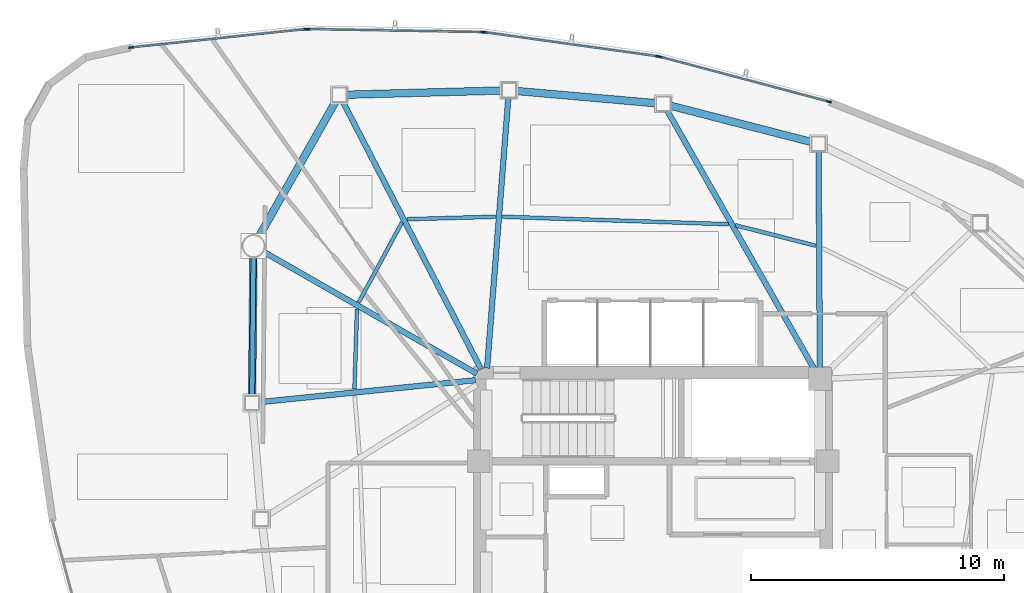
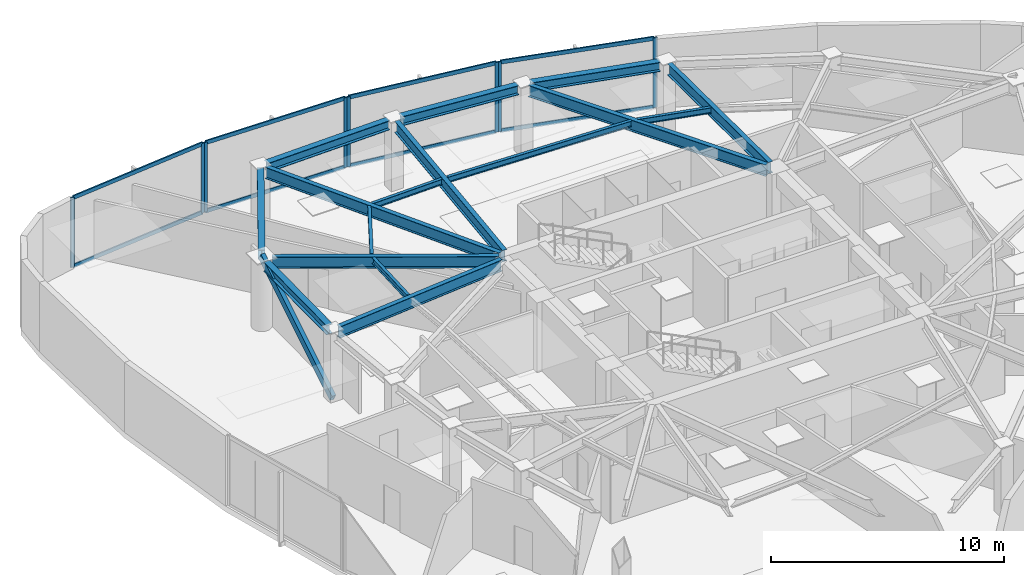
# One storey, part 6 of 13: 17 members, 16 beams, 4 elements without a shape of their own.
"""IFC4 building model written with IfcOpenShell, lengths in metres."""

from ifc_helpers import new_model, si_unit, direction, frame, origin, origin_2d, place, context, subcontext, project, spatial, hollow_rectangle, i_section, extrude, source, transform, mapped, material, layer, layer_set, material_profile, profile_set, type_object, type_shapes, element, aggregate, save


model = new_model("IFC4")

# Units and contexts
model_context = context("Model", 3, precision=1e-05, world=origin(), true_north=direction((0.0, 1.0)))
body_context = subcontext(model_context, "Body", "Model", "MODEL_VIEW")
ifc_project = project(units=[si_unit("LENGTHUNIT", "METRE"), si_unit("AREAUNIT", "SQUARE_METRE"), si_unit("VOLUMEUNIT", "CUBIC_METRE"), si_unit("PLANEANGLEUNIT", "RADIAN"), si_unit("MASSUNIT", "GRAM", prefix="KILO")], contexts=[model_context])

# Site, building, storey
site_placement = place(None, origin())
site = spatial("IfcSite", under=ifc_project, at=site_placement, CompositionType="ELEMENT")
building_placement = place(site_placement, origin())
building = spatial("IfcBuilding", under=site, at=building_placement, Name="Tavelor Broadcast Tower", CompositionType="ELEMENT")
storey_placement = place(building_placement, frame((0.0, 0.0, 245.85009765625)))
storey = spatial("IfcBuildingStorey", under=building, at=storey_placement, Name="L58", CompositionType="ELEMENT", Elevation=245.85009765625)

# Beams
ifc_material_1 = material(Name="Steel S355", Category="steel")
ifc_material_profile_1 = material_profile(ifc_material_1, i_section(OverallWidth=0.14990234375, OverallDepth=0.300048828125, WebThickness=0.007080078125, FlangeThickness=0.0107421875, at=origin_2d()), Name="IPE 300")
ifc_profile_set_1 = profile_set([ifc_material_profile_1], Name="Steel S355")
beam_type_1 = type_object("IfcBeamType", Name="Composite Floor Joist T5 IPE 300", PredefinedType="JOIST", material=ifc_profile_set_1)
beam_1_placement = place(storey_placement, frame((38.289794921875, 53.978515625, 3.5), z_axis=(-0.031859396157, -0.999492360589, 0.0), x_axis=(0.999492360589, -0.031859396157, 0.0)))
element("IfcBeam", 1, at=beam_1_placement, inside=storey, type_object=beam_type_1, Name="L58 Secondary Composite Floor Joist 01", PredefinedType="JOIST", context=body_context, shape_type="SweptSolid", body=[
    extrude(i_section(OverallWidth=0.14990234375, OverallDepth=0.300048828125, WebThickness=0.007080078125, FlangeThickness=0.0107421875, at=origin_2d()), origin(), (0.0, 0.0, 1.0), 3.172607421875),
])
beam_2_placement = place(storey_placement, frame((56.434326171875, 56.4736328125, 3.5), z_axis=(-0.968901023903, 0.247448592399, 0.0), x_axis=(-0.247448592399, -0.968901023903, 0.0)))
element("IfcBeam", 2, at=beam_2_placement, inside=storey, type_object=beam_type_1, Name="L58 Secondary Composite Floor Joist 15", PredefinedType="JOIST", context=body_context, shape_type="SweptSolid", body=[
    extrude(i_section(OverallWidth=0.14990234375, OverallDepth=0.300048828125, WebThickness=0.007080078125, FlangeThickness=0.0107421875, at=origin_2d()), origin(), (0.0, 0.0, 1.0), 3.283447265625),
])
beam_3_placement = place(storey_placement, frame((52.978515625, 57.3251953125, 3.5), z_axis=(-0.999455526468, 0.032994705837, 0.0), x_axis=(-0.032994705837, -0.999455526468, 0.0)))
element("IfcBeam", 3, at=beam_3_placement, inside=storey, type_object=beam_type_1, Name="L58 Secondary Composite Floor Joist 16", PredefinedType="JOIST", context=body_context, shape_type="SweptSolid", body=[
    extrude(i_section(OverallWidth=0.14990234375, OverallDepth=0.300048828125, WebThickness=0.007080078125, FlangeThickness=0.0107421875, at=origin_2d()), origin(), (0.0, 0.0, 1.0), 8.9384765625),
])
beam_4_placement = place(storey_placement, frame((43.76611328125, 57.620849609375, 3.5), z_axis=(-0.999611398275, -0.027875660324, 0.0), x_axis=(0.027875660324, -0.999611398275, 0.0)))
element("IfcBeam", 4, at=beam_4_placement, inside=storey, type_object=beam_type_1, Name="L58 Secondary Composite Floor Joist 17", PredefinedType="JOIST", context=body_context, shape_type="SweptSolid", body=[
    extrude(i_section(OverallWidth=0.14990234375, OverallDepth=0.300048828125, WebThickness=0.007080078125, FlangeThickness=0.0107421875, at=origin_2d()), origin(), (0.0, 0.0, 1.0), 3.49462890625),
])
beam_5_placement = place(storey_placement, frame((40.0673828125, 57.39697265625, 3.5), z_axis=(-0.475640833171, -0.879639584046, 0.0), x_axis=(0.879639584046, -0.475640833171, 0.0)))
element("IfcBeam", 5, at=beam_5_placement, inside=storey, type_object=beam_type_1, Name="L58 Secondary Composite Floor Joist 18", PredefinedType="JOIST", context=body_context, shape_type="SweptSolid", body=[
    extrude(i_section(OverallWidth=0.14990234375, OverallDepth=0.300048828125, WebThickness=0.007080078125, FlangeThickness=0.0107421875, at=origin_2d()), origin(), (0.0, 0.0, 1.0), 3.58837890625),
])
ifc_material_profile_2 = material_profile(ifc_material_1, i_section(OverallWidth=0.300048828125, OverallDepth=0.489990234375, WebThickness=0.011962890625, FlangeThickness=0.02294921875, at=origin_2d()), Name="HEA 500")
ifc_profile_set_2 = profile_set([ifc_material_profile_2], Name="Steel S355")
beam_type_2 = type_object("IfcBeamType", Name="Perimeter Spandrel Beam T5 HEA 500", PredefinedType="SPANDREL", material=ifc_profile_set_2)
beam_6_placement = place(storey_placement, frame((34.192138671875, 56.021240234375, 3.40478515625), z_axis=(-0.009538233347, -0.999954510018, 0.0), x_axis=(0.999954510018, -0.009538233347, 0.0)))
element("IfcBeam", 6, at=beam_6_placement, inside=storey, type_object=beam_type_2, Name="L58 Framed-Tube Ring Spandrel 01", PredefinedType="SPANDREL", context=body_context, shape_type="SweptSolid", body=[
    extrude(i_section(OverallWidth=0.300048828125, OverallDepth=0.489990234375, WebThickness=0.011962890625, FlangeThickness=0.02294921875, at=origin_2d()), origin(), (0.0, 0.0, 1.0), 5.4775390625),
])
beam_7_placement = place(storey_placement, frame((56.2666015625, 60.575927734375, 3.40478515625), z_axis=(-0.968398561847, 0.249407749304, 0.0), x_axis=(-0.249407749304, -0.968398561847, 0.0)))
element("IfcBeam", 7, at=beam_7_placement, inside=storey, type_object=beam_type_2, Name="L58 Framed-Tube Ring Spandrel 15", PredefinedType="SPANDREL", context=body_context, shape_type="SweptSolid", body=[
    extrude(i_section(OverallWidth=0.300048828125, OverallDepth=0.489990234375, WebThickness=0.011962890625, FlangeThickness=0.02294921875, at=origin_2d()), origin(), (0.0, 0.0, 1.0), 5.7626953125),
])
beam_8_placement = place(storey_placement, frame((50.120361328125, 62.110107421875, 3.40478515625), z_axis=(-0.996165524703, 0.087488555787, 0.0), x_axis=(-0.087488555787, -0.996165524703, 0.0)))
element("IfcBeam", 8, at=beam_8_placement, inside=storey, type_object=beam_type_2, Name="L58 Framed-Tube Ring Spandrel 16", PredefinedType="SPANDREL", context=body_context, shape_type="SweptSolid", body=[
    extrude(i_section(OverallWidth=0.300048828125, OverallDepth=0.489990234375, WebThickness=0.011962890625, FlangeThickness=0.02294921875, at=origin_2d()), origin(), (0.0, 0.0, 1.0), 5.555908203125),
])
beam_9_placement = place(storey_placement, frame((44.010986328125, 62.613525390625, 3.40478515625), z_axis=(-0.999631563069, -0.027142920174, 0.0), x_axis=(0.027142920174, -0.999631563069, 0.0)))
element("IfcBeam", 9, at=beam_9_placement, inside=storey, type_object=beam_type_2, Name="L58 Framed-Tube Ring Spandrel 17", PredefinedType="SPANDREL", context=body_context, shape_type="SweptSolid", body=[
    extrude(i_section(OverallWidth=0.300048828125, OverallDepth=0.489990234375, WebThickness=0.011962890625, FlangeThickness=0.02294921875, at=origin_2d()), origin(), (0.0, 0.0, 1.0), 6.13427734375),
])
beam_10_placement = place(storey_placement, frame((37.44873046875, 62.188720703125, 3.40478515625), z_axis=(-0.49368262273, -0.869642149401, 0.0), x_axis=(0.869642149401, -0.49368262273, 0.0)))
element("IfcBeam", 10, at=beam_10_placement, inside=storey, type_object=beam_type_2, Name="L58 Framed-Tube Ring Spandrel 18", PredefinedType="SPANDREL", context=body_context, shape_type="SweptSolid", body=[
    extrude(i_section(OverallWidth=0.300048828125, OverallDepth=0.489990234375, WebThickness=0.011962890625, FlangeThickness=0.02294921875, at=origin_2d()), origin(), (0.0, 0.0, 1.0), 6.14892578125),
])

# Member
ifc_material_profile_3 = material_profile(ifc_material_1, hollow_rectangle(XDim=0.199951171875, YDim=0.39990234375, WallThickness=0.01611328125, at=origin_2d()), Name="RHS 400x200x16")
ifc_profile_set_3 = profile_set([ifc_material_profile_3], Name="Steel S355")
member_type_1 = type_object("IfcMemberType", Name="Perimeter Tube Brace T5 RHS 400x200x16", PredefinedType="BRACE", material=ifc_profile_set_3)
member_1_placement = place(storey_placement, frame((34.13720703125, 50.255859375, 0.0), z_axis=(0.008207725636, 0.861879024195, 0.507047513447), x_axis=(-0.999954658748, 0.009522628184, 0.0)))
element("IfcMember", 11, at=member_1_placement, inside=storey, type_object=member_type_1, Name="L58 Corner Tube Diagonal Brace 1", PredefinedType="BRACE", context=body_context, shape_type="SweptSolid", body=[
    extrude(hollow_rectangle(XDim=0.199951171875, YDim=0.39990234375, WallThickness=0.01611328125, at=origin_2d()), origin(), (0.0, 0.0, 1.0), 7.1982421875),
])

# Beams
ifc_material_profile_4 = material_profile(ifc_material_1, i_section(OverallWidth=0.219970703125, OverallDepth=0.60009765625, WebThickness=0.011962890625, FlangeThickness=0.01904296875, at=origin_2d()), Name="IPE 600")
ifc_profile_set_4 = profile_set([ifc_material_profile_4], Name="Steel S355")
beam_type_3 = type_object("IfcBeamType", Name="Radial Floor Girder T5 IPE 600", PredefinedType="BEAM", material=ifc_profile_set_4)
beam_11_placement = place(storey_placement, frame((43.02490234375, 51.414306640625, 3.349853515625), z_axis=(-0.868210713595, 0.496195683979, 0.0), x_axis=(-0.496195683979, -0.868210713595, 0.0)))
element("IfcBeam", 12, at=beam_11_placement, inside=storey, type_object=beam_type_3, Name="L58 Radial Primary Floor Girder 01", PredefinedType="BEAM", context=body_context, shape_type="SweptSolid", body=[
    extrude(i_section(OverallWidth=0.219970703125, OverallDepth=0.60009765625, WebThickness=0.011962890625, FlangeThickness=0.01904296875, at=origin_2d()), origin(), (0.0, 0.0, 1.0), 9.729736328125),
])
beam_12_placement = place(storey_placement, frame((42.97021484375, 51.15625, 3.349853515625), z_axis=(-0.994846025553, -0.101397166829, 0.0), x_axis=(0.101397166829, -0.994846025553, 0.0)))
element("IfcBeam", 13, at=beam_12_placement, inside=storey, type_object=beam_type_3, Name="L58 Radial Primary Floor Girder 02", PredefinedType="BEAM", context=body_context, shape_type="SweptSolid", body=[
    extrude(i_section(OverallWidth=0.219970703125, OverallDepth=0.60009765625, WebThickness=0.011962890625, FlangeThickness=0.01904296875, at=origin_2d()), origin(), (0.0, 0.0, 1.0), 8.5908203125),
])
beam_13_placement = place(storey_placement, frame((56.597412109375, 51.632080078125, 3.349853515625), z_axis=(-0.005830390092, 0.999983003131, 0.0), x_axis=(-0.999983003131, -0.005830390092, 0.0)))
element("IfcBeam", 14, at=beam_13_placement, inside=storey, type_object=beam_type_3, Name="L58 Radial Primary Floor Girder 15", PredefinedType="BEAM", context=body_context, shape_type="SweptSolid", body=[
    extrude(i_section(OverallWidth=0.219970703125, OverallDepth=0.60009765625, WebThickness=0.011962890625, FlangeThickness=0.01904296875, at=origin_2d()), origin(), (0.0, 0.0, 1.0), 8.584228515625),
])
beam_14_placement = place(storey_placement, frame((56.386474609375, 51.575439453125, 3.349853515625), z_axis=(-0.49450754608, 0.869173335342, 0.0), x_axis=(-0.869173335342, -0.49450754608, 0.0)))
element("IfcBeam", 15, at=beam_14_placement, inside=storey, type_object=beam_type_3, Name="L58 Radial Primary Floor Girder 16", PredefinedType="BEAM", context=body_context, shape_type="SweptSolid", body=[
    extrude(i_section(OverallWidth=0.219970703125, OverallDepth=0.60009765625, WebThickness=0.011962890625, FlangeThickness=0.01904296875, at=origin_2d()), origin(), (0.0, 0.0, 1.0), 11.803466796875),
])
beam_15_placement = place(storey_placement, frame((43.433837890625, 51.630615234375, 3.349853515625), z_axis=(0.078449146994, 0.996918116666, 0.0), x_axis=(-0.996918116666, 0.078449146994, 0.0)))
element("IfcBeam", 16, at=beam_15_placement, inside=storey, type_object=beam_type_3, Name="L58 Radial Primary Floor Girder 17", PredefinedType="BEAM", context=body_context, shape_type="SweptSolid", body=[
    extrude(i_section(OverallWidth=0.219970703125, OverallDepth=0.60009765625, WebThickness=0.011962890625, FlangeThickness=0.01904296875, at=origin_2d()), origin(), (0.0, 0.0, 1.0), 10.73681640625),
])
beam_16_placement = place(storey_placement, frame((43.20166015625, 51.583740234375, 3.349853515625), z_axis=(-0.459155708723, 0.888355804364, 0.0), x_axis=(-0.888355804364, -0.459155708723, 0.0)))
element("IfcBeam", 17, at=beam_16_placement, inside=storey, type_object=beam_type_3, Name="L58 Radial Primary Floor Girder 18", PredefinedType="BEAM", context=body_context, shape_type="SweptSolid", body=[
    extrude(i_section(OverallWidth=0.219970703125, OverallDepth=0.60009765625, WebThickness=0.011962890625, FlangeThickness=0.01904296875, at=origin_2d()), origin(), (0.0, 0.0, 1.0), 11.931640625),
])

# Curtain wall, members
ifc_material_2 = material(Name="Architectural Anodized Aluminium", Category="aluminium")
ifc_layer = layer(ifc_material_2, 0.199951171875)
ifc_layer_set = layer_set([ifc_layer], Name="Architectural Anodized Aluminium")
curtain_wall_type = type_object("IfcCurtainWallType", Name="Tower High-Zone Triple-Glazed Curtain Wall CW04", PredefinedType="NOTDEFINED", material=ifc_layer_set)
curtain_wall_1_placement = place(storey_placement, origin())
curtain_wall_1 = element("IfcCurtainWall", 18, at=curtain_wall_1_placement, inside=storey, type_object=curtain_wall_type, Name="L58 Curtain Wall CW04 Run 633", PredefinedType="NOTDEFINED")
ifc_material_profile_5 = material_profile(ifc_material_2, hollow_rectangle(XDim=0.070068359375, YDim=0.199951171875, WallThickness=0.02197265625, at=origin_2d()), Name="RHS 70x200x22")
ifc_profile_set_5 = profile_set([ifc_material_profile_5], Name="Architectural Anodized Aluminium")
member_type_2 = type_object("IfcMemberType", Name="CW04 Extruded Aluminium Mullion 70x200", PredefinedType="MULLION", material=ifc_profile_set_5)
shared_shape_1 = source(origin(), body_context, "Body", "SweptSolid", [
    extrude(hollow_rectangle(XDim=0.070068359375, YDim=0.199951171875, WallThickness=0.02197265625, at=origin_2d()), origin(), (0.0, 0.0, 1.0), 3.64990234375),
])
type_shapes(member_type_2, [shared_shape_1])
member_2_placement = place(storey_placement, frame((56.9541015625, 62.169189453125, 0.0), z_axis=(0.0, 0.0, 1.0), x_axis=(-0.25673138761, -0.96648279582, 0.0)))
member_2 = element("IfcMember", 19, at=member_2_placement, type_object=member_type_2, Name="CW04 mullion 1", PredefinedType="MULLION", context=body_context, shape_type="MappedRepresentation", body=[
    mapped(shared_shape_1, transform((0.0, 0.0, 0.0), scale=1.0)),
])
member_3_placement = place(storey_placement, frame((50.270751953125, 63.944580078125, 0.0), z_axis=(0.0, 0.0, 1.0), x_axis=(-0.25673138761, -0.96648279582, 0.0)))
member_3 = element("IfcMember", 20, at=member_3_placement, type_object=member_type_2, Name="CW04 mullion 2", PredefinedType="MULLION", context=body_context, shape_type="MappedRepresentation", body=[
    mapped(shared_shape_1, transform((0.0, 0.0, 0.0), scale=1.0)),
])

curtain_wall_2_placement = place(storey_placement, origin())
curtain_wall_2 = element("IfcCurtainWall", 21, at=curtain_wall_2_placement, inside=storey, type_object=curtain_wall_type, Name="L58 Curtain Wall CW04 Run 634", PredefinedType="NOTDEFINED")
member_4_placement = place(storey_placement, frame((50.1728515625, 63.96435546875, 0.0), z_axis=(0.0, 0.0, 1.0), x_axis=(-0.137859256385, -0.990451828929, 0.0)))
member_4 = element("IfcMember", 22, at=member_4_placement, type_object=member_type_2, Name="CW04 mullion 1", PredefinedType="MULLION", context=body_context, shape_type="MappedRepresentation", body=[
    mapped(shared_shape_1, transform((0.0, 0.0, 0.0), scale=1.0)),
])
member_5_placement = place(storey_placement, frame((43.338623046875, 64.91552734375, 0.0), z_axis=(0.0, 0.0, 1.0), x_axis=(-0.137859256385, -0.990451828929, 0.0)))
member_5 = element("IfcMember", 23, at=member_5_placement, type_object=member_type_2, Name="CW04 mullion 2", PredefinedType="MULLION", context=body_context, shape_type="MappedRepresentation", body=[
    mapped(shared_shape_1, transform((0.0, 0.0, 0.0), scale=1.0)),
])

curtain_wall_3_placement = place(storey_placement, origin())
curtain_wall_3 = element("IfcCurtainWall", 24, at=curtain_wall_3_placement, inside=storey, type_object=curtain_wall_type, Name="L58 Curtain Wall CW04 Run 635", PredefinedType="NOTDEFINED")
member_6_placement = place(storey_placement, frame((43.239013671875, 64.92333984375, 0.0), z_axis=(0.0, 0.0, 1.0), x_axis=(-0.01700117277, -0.999855469618, 0.0)))
member_6 = element("IfcMember", 25, at=member_6_placement, type_object=member_type_2, Name="CW04 mullion 1", PredefinedType="MULLION", context=body_context, shape_type="MappedRepresentation", body=[
    mapped(shared_shape_1, transform((0.0, 0.0, 0.0), scale=1.0)),
])
member_7_placement = place(storey_placement, frame((36.340087890625, 65.04052734375, 0.0), z_axis=(0.0, 0.0, 1.0), x_axis=(-0.01700117277, -0.999855469618, 0.0)))
member_7 = element("IfcMember", 26, at=member_7_placement, type_object=member_type_2, Name="CW04 mullion 2", PredefinedType="MULLION", context=body_context, shape_type="MappedRepresentation", body=[
    mapped(shared_shape_1, transform((0.0, 0.0, 0.0), scale=1.0)),
])

curtain_wall_4_placement = place(storey_placement, origin())
curtain_wall_4 = element("IfcCurtainWall", 27, at=curtain_wall_4_placement, inside=storey, type_object=curtain_wall_type, Name="L58 Curtain Wall CW04 Run 636", PredefinedType="NOTDEFINED")
member_8_placement = place(storey_placement, frame((36.240234375, 65.036376953125, 0.0), z_axis=(0.0, 0.0, 1.0), x_axis=(0.104119972827, -0.994564744629, 0.0)))
member_8 = element("IfcMember", 28, at=member_8_placement, type_object=member_type_2, Name="CW04 mullion 1", PredefinedType="MULLION", context=body_context, shape_type="MappedRepresentation", body=[
    mapped(shared_shape_1, transform((0.0, 0.0, 0.0), scale=1.0)),
])
member_9_placement = place(storey_placement, frame((29.36181640625, 64.316162109375, 0.0), z_axis=(0.0, 0.0, 1.0), x_axis=(0.104119972827, -0.994564744629, 0.0)))
member_9 = element("IfcMember", 29, at=member_9_placement, type_object=member_type_2, Name="CW04 mullion 2", PredefinedType="MULLION", context=body_context, shape_type="MappedRepresentation", body=[
    mapped(shared_shape_1, transform((0.0, 0.0, 0.0), scale=1.0)),
])

# Member
ifc_material_profile_6 = material_profile(ifc_material_2, hollow_rectangle(XDim=0.070068359375, YDim=0.199951171875, WallThickness=0.02197265625, at=origin_2d()), Name="RHS 70x200x22")
ifc_profile_set_6 = profile_set([ifc_material_profile_6], Name="Architectural Anodized Aluminium")
member_type_3 = type_object("IfcMemberType", Name="CW04 Extruded Aluminium Transom 70x200", PredefinedType="USERDEFINED", material=ifc_profile_set_6)
shared_shape_2 = source(origin(), body_context, "Body", "SweptSolid", [
    extrude(hollow_rectangle(XDim=0.070068359375, YDim=0.199951171875, WallThickness=0.02197265625, at=origin_2d()), origin(), (0.0, 0.0, 1.0), 6.84521484375),
])
member_10_placement = place(storey_placement, frame((56.92041015625, 62.17822265625, 0.034912109375), z_axis=(-0.966484297284, 0.256725735178, 0.0), x_axis=(-0.256725735178, -0.966484297284, 0.0)))
member_10 = element("IfcMember", 30, at=member_10_placement, type_object=member_type_3, Name="CW04 transom 1.1", ObjectType="TRANSOM", PredefinedType="USERDEFINED", context=body_context, shape_type="MappedRepresentation", body=[
    mapped(shared_shape_2, transform((0.0, 0.0, 0.0), scale=1.0)),
])

member_11_placement = place(storey_placement, frame((56.92041015625, 62.17822265625, 3.614990234375), z_axis=(-0.966484297284, 0.256725735178, 0.0), x_axis=(-0.256725735178, -0.966484297284, 0.0)))
member_11 = element("IfcMember", 31, at=member_11_placement, type_object=member_type_3, Name="CW04 transom 1.2", ObjectType="TRANSOM", PredefinedType="USERDEFINED", context=body_context, shape_type="MappedRepresentation", body=[
    mapped(shared_shape_2, transform((0.0, 0.0, 0.0), scale=1.0)),
])

aggregate(curtain_wall_1, [member_2, member_3, member_10, member_11])

shared_shape_3 = source(origin(), body_context, "Body", "SweptSolid", [
    extrude(hollow_rectangle(XDim=0.070068359375, YDim=0.199951171875, WallThickness=0.02197265625, at=origin_2d()), origin(), (0.0, 0.0, 1.0), 6.830078125),
])
member_12_placement = place(storey_placement, frame((50.13818359375, 63.96923828125, 0.034912109375), z_axis=(-0.990455573088, 0.137832353742, 0.0), x_axis=(-0.137832353742, -0.990455573088, 0.0)))
member_12 = element("IfcMember", 32, at=member_12_placement, type_object=member_type_3, Name="CW04 transom 1.1", ObjectType="TRANSOM", PredefinedType="USERDEFINED", context=body_context, shape_type="MappedRepresentation", body=[
    mapped(shared_shape_3, transform((0.0, 0.0, 0.0), scale=1.0)),
])

member_13_placement = place(storey_placement, frame((50.13818359375, 63.96923828125, 3.614990234375), z_axis=(-0.990455573088, 0.137832353742, 0.0), x_axis=(-0.137832353742, -0.990455573088, 0.0)))
member_13 = element("IfcMember", 33, at=member_13_placement, type_object=member_type_3, Name="CW04 transom 1.2", ObjectType="TRANSOM", PredefinedType="USERDEFINED", context=body_context, shape_type="MappedRepresentation", body=[
    mapped(shared_shape_3, transform((0.0, 0.0, 0.0), scale=1.0)),
])

aggregate(curtain_wall_2, [member_4, member_5, member_12, member_13])

member_14_placement = place(storey_placement, frame((43.2041015625, 64.923828125, 0.034912109375), z_axis=(-0.999855242004, 0.017014553668, 0.0), x_axis=(-0.017014553668, -0.999855242004, 0.0)))
member_14 = element("IfcMember", 34, at=member_14_placement, type_object=member_type_3, Name="CW04 transom 1.1", ObjectType="TRANSOM", PredefinedType="USERDEFINED", context=body_context, shape_type="MappedRepresentation", body=[
    mapped(shared_shape_3, transform((0.0, 0.0, 0.0), scale=1.0)),
])

member_15_placement = place(storey_placement, frame((43.2041015625, 64.923828125, 3.614990234375), z_axis=(-0.999855242004, 0.017014553668, 0.0), x_axis=(-0.017014553668, -0.999855242004, 0.0)))
member_15 = element("IfcMember", 35, at=member_15_placement, type_object=member_type_3, Name="CW04 transom 1.2", ObjectType="TRANSOM", PredefinedType="USERDEFINED", context=body_context, shape_type="MappedRepresentation", body=[
    mapped(shared_shape_3, transform((0.0, 0.0, 0.0), scale=1.0)),
])

aggregate(curtain_wall_3, [member_6, member_7, member_14, member_15])

shared_shape_4 = source(origin(), body_context, "Body", "SweptSolid", [
    extrude(hollow_rectangle(XDim=0.070068359375, YDim=0.199951171875, WallThickness=0.02197265625, at=origin_2d()), origin(), (0.0, 0.0, 1.0), 6.84619140625),
])
type_shapes(member_type_3, [shared_shape_2, shared_shape_3, shared_shape_4])
member_16_placement = place(storey_placement, frame((36.20556640625, 65.03271484375, 0.034912109375), z_axis=(-0.994563916566, -0.104127882265, 0.0), x_axis=(0.104127882265, -0.994563916566, 0.0)))
member_16 = element("IfcMember", 36, at=member_16_placement, type_object=member_type_3, Name="CW04 transom 1.1", ObjectType="TRANSOM", PredefinedType="USERDEFINED", context=body_context, shape_type="MappedRepresentation", body=[
    mapped(shared_shape_4, transform((0.0, 0.0, 0.0), scale=1.0)),
])

member_17_placement = place(storey_placement, frame((36.20556640625, 65.03271484375, 3.614990234375), z_axis=(-0.994563916566, -0.104127882265, 0.0), x_axis=(0.104127882265, -0.994563916566, 0.0)))
member_17 = element("IfcMember", 37, at=member_17_placement, type_object=member_type_3, Name="CW04 transom 1.2", ObjectType="TRANSOM", PredefinedType="USERDEFINED", context=body_context, shape_type="MappedRepresentation", body=[
    mapped(shared_shape_4, transform((0.0, 0.0, 0.0), scale=1.0)),
])

aggregate(curtain_wall_4, [member_8, member_9, member_16, member_17])

save(model, "model.ifc")
